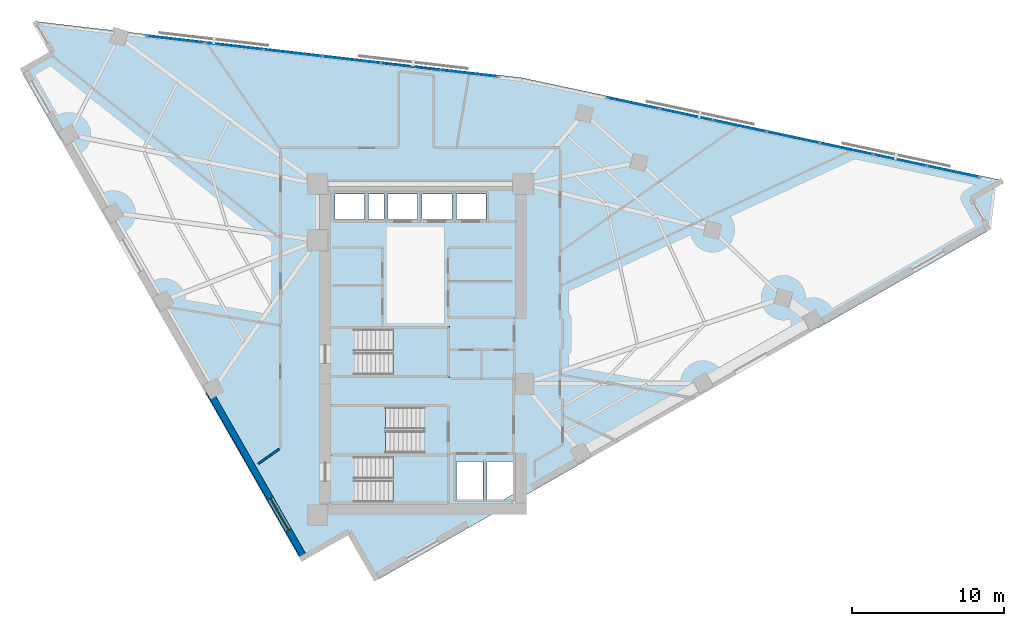
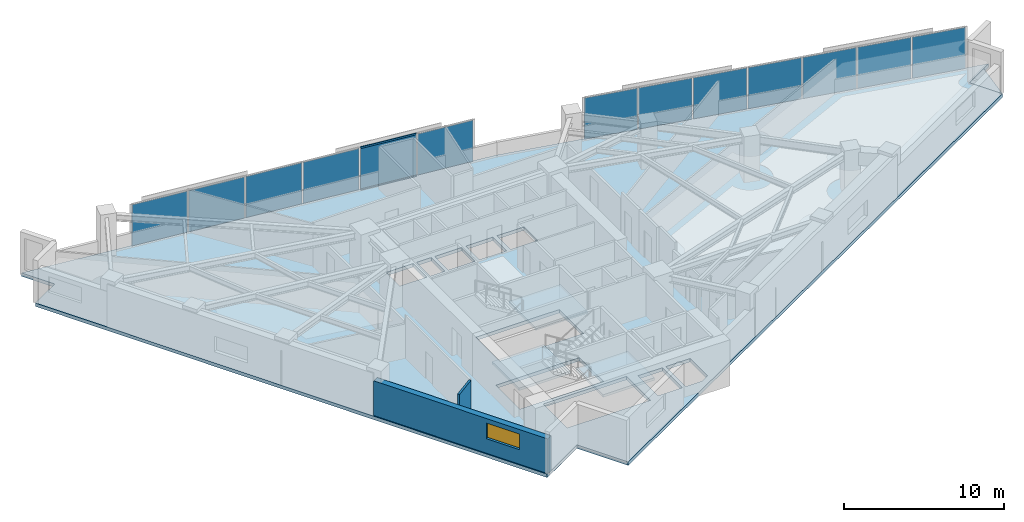
# One storey, part 8 of 14: 13 plates, 5 slabs, 2 members, 2 walls, 1 window, 1 opening, 5 elements without a shape of their own.
"""IFC4 building model written with IfcOpenShell, lengths in metres."""

from ifc_helpers import new_model, si_unit, direction, frame, frame_2d, origin, origin_2d, place, context, subcontext, project, spatial, polyline, rectangle, hollow_rectangle, outline, extrude, material, layer, layer_set, material_profile, profile_set, type_object, element, fill, aggregate, save


model = new_model("IFC4")

# Units and contexts
model_context = context("Model", 3, precision=1e-05, world=origin(), true_north=direction((0.0, 1.0)))
body_context = subcontext(model_context, "Body", "Model", "MODEL_VIEW")
ifc_project = project(units=[si_unit("LENGTHUNIT", "METRE"), si_unit("AREAUNIT", "SQUARE_METRE"), si_unit("VOLUMEUNIT", "CUBIC_METRE"), si_unit("PLANEANGLEUNIT", "RADIAN"), si_unit("MASSUNIT", "GRAM", prefix="KILO")], contexts=[model_context])

# Site, building, storey
site_placement = place(None, origin())
site = spatial("IfcSite", under=ifc_project, at=site_placement, CompositionType="ELEMENT")
building_placement = place(site_placement, origin())
building = spatial("IfcBuilding", under=site, at=building_placement, Name="Narakoshi Arena Tower", CompositionType="ELEMENT")
storey_placement = place(building_placement, frame((0.0, 0.0, 207.93994140625)))
storey = spatial("IfcBuildingStorey", under=building, at=storey_placement, Name="L56", CompositionType="ELEMENT", Elevation=207.93994140625)

# Curtain wall, members
ifc_material_1 = material(Name="Anodised bronze aluminium 6063-T6", Category="aluminium")
curtain_wall_type = type_object("IfcCurtainWallType", Name="CW-HYP-MID", PredefinedType="NOTDEFINED", material=ifc_material_1)
curtain_wall_1_placement = place(storey_placement, origin())
curtain_wall_1 = element("IfcCurtainWall", 1, at=curtain_wall_1_placement, inside=storey, type_object=curtain_wall_type, Name="L56 Folded Hypotenuse Curtain Wall 2-1", PredefinedType="NOTDEFINED")
ifc_material_profile = material_profile(ifc_material_1, hollow_rectangle(XDim=0.06494140625, YDim=0.1298828125, WallThickness=0.00390625, OuterFilletRadius=0.0048828125, at=origin_2d()), Name="TRN130x65x4")
ifc_profile_set = profile_set([ifc_material_profile], Name="Anodised bronze aluminium 6063-T6")
member_type = type_object("IfcMemberType", Name="MEM-TRN-130", PredefinedType="USERDEFINED", material=ifc_profile_set)
member_1_placement = place(storey_placement, frame((80.032470703125, 64.002685546875, 0.032470703125), z_axis=(-0.993360986362, 0.115038909828, 0.0), x_axis=(-0.115038909828, -0.993360986362, 0.0)))
member_1 = element("IfcMember", 2, at=member_1_placement, type_object=member_type, Name="CW-02 transom 2.1", ObjectType="TRANSOM", PredefinedType="USERDEFINED", context=body_context, shape_type="SweptSolid", body=[
    extrude(hollow_rectangle(XDim=0.06494140625, YDim=0.1298828125, WallThickness=0.00390625, OuterFilletRadius=0.0048828125, at=origin_2d()), origin(), (0.0, 0.0, 1.0), 3.820068359375),
])
member_2_placement = place(storey_placement, frame((80.032470703125, 64.002685546875, 3.2275390625), z_axis=(-0.993360986362, 0.115038909828, 0.0), x_axis=(-0.115038909828, -0.993360986362, 0.0)))
member_2 = element("IfcMember", 3, at=member_2_placement, type_object=member_type, Name="CW-02 transom 2.2", ObjectType="TRANSOM", PredefinedType="USERDEFINED", context=body_context, shape_type="SweptSolid", body=[
    extrude(hollow_rectangle(XDim=0.06494140625, YDim=0.1298828125, WallThickness=0.00390625, OuterFilletRadius=0.0048828125, at=origin_2d()), origin(), (0.0, 0.0, 1.0), 3.820068359375),
])

# Curtain wall, plates
curtain_wall_2_placement = place(storey_placement, origin())
curtain_wall_2 = element("IfcCurtainWall", 4, at=curtain_wall_2_placement, inside=storey, type_object=curtain_wall_type, Name="L56 Folded Hypotenuse Curtain Wall 1-1", PredefinedType="NOTDEFINED")
ifc_material_2 = material(Name="Bronze-tinted low-E laminated glass", Category="glass")
ifc_layer_1 = layer(ifc_material_2, 0.0380859375)
ifc_layer_set_1 = layer_set([ifc_layer_1], Name="Bronze-tinted low-E laminated glass")
plate_type = type_object("IfcPlateType", Name="PLT-GLZ-38", PredefinedType="CURTAIN_PANEL", material=ifc_layer_set_1)
plate_1_placement = place(storey_placement, frame((113.835205078125, 57.3095703125, 0.065185546875), z_axis=(0.0, 0.0, 1.0), x_axis=(-0.977937185914, 0.208899163248, 0.0)))
plate_1 = element("IfcPlate", 5, at=plate_1_placement, type_object=plate_type, Name="CW-02 panel 1.1", PredefinedType="CURTAIN_PANEL", context=body_context, shape_type="SweptSolid", body=[
    extrude(rectangle(XDim=3.48095703125, YDim=0.0380859375, at=origin_2d()), origin(), (0.0, 0.0, 1.0), 3.1298828125),
])
plate_2_placement = place(storey_placement, frame((110.33935546875, 58.056396484375, 0.065185546875), z_axis=(0.0, 0.0, 1.0), x_axis=(-0.977937185914, 0.208899163248, 0.0)))
plate_2 = element("IfcPlate", 6, at=plate_2_placement, type_object=plate_type, Name="CW-02 panel 2.1", PredefinedType="CURTAIN_PANEL", context=body_context, shape_type="SweptSolid", body=[
    extrude(rectangle(XDim=3.518310546875, YDim=0.0380859375, at=origin_2d()), origin(), (0.0, 0.0, 1.0), 3.1298828125),
])
plate_3_placement = place(storey_placement, frame((106.8251953125, 58.806884765625, 0.065185546875), z_axis=(0.0, 0.0, 1.0), x_axis=(-0.977937185914, 0.208899163248, 0.0)))
plate_3 = element("IfcPlate", 7, at=plate_3_placement, type_object=plate_type, Name="CW-02 panel 3.1", PredefinedType="CURTAIN_PANEL", context=body_context, shape_type="SweptSolid", body=[
    extrude(rectangle(XDim=3.518310546875, YDim=0.0380859375, at=origin_2d()), origin(), (0.0, 0.0, 1.0), 3.1298828125),
])
plate_4_placement = place(storey_placement, frame((103.31103515625, 59.5576171875, 0.065185546875), z_axis=(0.0, 0.0, 1.0), x_axis=(-0.977937185914, 0.208899163248, 0.0)))
plate_4 = element("IfcPlate", 8, at=plate_4_placement, type_object=plate_type, Name="CW-02 panel 4.1", PredefinedType="CURTAIN_PANEL", context=body_context, shape_type="SweptSolid", body=[
    extrude(rectangle(XDim=3.518310546875, YDim=0.0380859375, at=origin_2d()), origin(), (0.0, 0.0, 1.0), 3.1298828125),
])
plate_5_placement = place(storey_placement, frame((99.796875, 60.308349609375, 0.065185546875), z_axis=(0.0, 0.0, 1.0), x_axis=(-0.977937185914, 0.208899163248, 0.0)))
plate_5 = element("IfcPlate", 9, at=plate_5_placement, type_object=plate_type, Name="CW-02 panel 5.1", PredefinedType="CURTAIN_PANEL", context=body_context, shape_type="SweptSolid", body=[
    extrude(rectangle(XDim=3.518310546875, YDim=0.0380859375, at=origin_2d()), origin(), (0.0, 0.0, 1.0), 3.1298828125),
])
plate_6_placement = place(storey_placement, frame((96.282958984375, 61.058837890625, 0.065185546875), z_axis=(0.0, 0.0, 1.0), x_axis=(-0.977937185914, 0.208899163248, 0.0)))
plate_6 = element("IfcPlate", 10, at=plate_6_placement, type_object=plate_type, Name="CW-02 panel 6.1", PredefinedType="CURTAIN_PANEL", context=body_context, shape_type="SweptSolid", body=[
    extrude(rectangle(XDim=3.518310546875, YDim=0.0380859375, at=origin_2d()), origin(), (0.0, 0.0, 1.0), 3.1298828125),
])
plate_7_placement = place(storey_placement, frame((92.787109375, 61.8056640625, 0.065185546875), z_axis=(0.0, 0.0, 1.0), x_axis=(-0.977937185914, 0.208899163248, 0.0)))
plate_7 = element("IfcPlate", 11, at=plate_7_placement, type_object=plate_type, Name="CW-02 panel 7.1", PredefinedType="CURTAIN_PANEL", context=body_context, shape_type="SweptSolid", body=[
    extrude(rectangle(XDim=3.48095703125, YDim=0.0380859375, at=origin_2d()), origin(), (0.0, 0.0, 1.0), 3.1298828125),
])
aggregate(curtain_wall_2, [plate_1, plate_2, plate_3, plate_4, plate_5, plate_6, plate_7])

# Plate
plate_8_placement = place(storey_placement, frame((81.985595703125, 63.776611328125, 0.065185546875), z_axis=(0.0, 0.0, 1.0), x_axis=(-0.993364183774, 0.115011296816, 0.0)))
plate_8 = element("IfcPlate", 12, at=plate_8_placement, type_object=plate_type, Name="CW-02 panel 1.1", PredefinedType="CURTAIN_PANEL", context=body_context, shape_type="SweptSolid", body=[
    extrude(rectangle(XDim=3.782470703125, YDim=0.0380859375, at=origin_2d()), origin(), (0.0, 0.0, 1.0), 3.1298828125),
])

plate_9_placement = place(storey_placement, frame((78.13525390625, 64.222412109375, 0.065185546875), z_axis=(0.0, 0.0, 1.0), x_axis=(-0.993364183774, 0.115011296816, 0.0)))
plate_9 = element("IfcPlate", 13, at=plate_9_placement, type_object=plate_type, Name="CW-02 panel 2.1", PredefinedType="CURTAIN_PANEL", context=body_context, shape_type="SweptSolid", body=[
    extrude(rectangle(XDim=3.820068359375, YDim=0.0380859375, at=origin_2d()), origin(), (0.0, 0.0, 1.0), 3.1298828125),
])

plate_10_placement = place(storey_placement, frame((74.26611328125, 64.67041015625, 0.065185546875), z_axis=(0.0, 0.0, 1.0), x_axis=(-0.993364183774, 0.115011296816, 0.0)))
plate_10 = element("IfcPlate", 14, at=plate_10_placement, type_object=plate_type, Name="CW-02 panel 3.1", PredefinedType="CURTAIN_PANEL", context=body_context, shape_type="SweptSolid", body=[
    extrude(rectangle(XDim=3.820068359375, YDim=0.0380859375, at=origin_2d()), origin(), (0.0, 0.0, 1.0), 3.1298828125),
])

plate_11_placement = place(storey_placement, frame((70.39697265625, 65.118408203125, 0.065185546875), z_axis=(0.0, 0.0, 1.0), x_axis=(-0.993364183774, 0.115011296816, 0.0)))
plate_11 = element("IfcPlate", 15, at=plate_11_placement, type_object=plate_type, Name="CW-02 panel 4.1", PredefinedType="CURTAIN_PANEL", context=body_context, shape_type="SweptSolid", body=[
    extrude(rectangle(XDim=3.820068359375, YDim=0.0380859375, at=origin_2d()), origin(), (0.0, 0.0, 1.0), 3.1298828125),
])

plate_12_placement = place(storey_placement, frame((66.52783203125, 65.56640625, 0.065185546875), z_axis=(0.0, 0.0, 1.0), x_axis=(-0.993364183774, 0.115011296816, 0.0)))
plate_12 = element("IfcPlate", 16, at=plate_12_placement, type_object=plate_type, Name="CW-02 panel 5.1", PredefinedType="CURTAIN_PANEL", context=body_context, shape_type="SweptSolid", body=[
    extrude(rectangle(XDim=3.820068359375, YDim=0.0380859375, at=origin_2d()), origin(), (0.0, 0.0, 1.0), 3.1298828125),
])

plate_13_placement = place(storey_placement, frame((62.67724609375, 66.01220703125, 0.065185546875), z_axis=(0.0, 0.0, 1.0), x_axis=(-0.993364183774, 0.115011296816, 0.0)))
plate_13 = element("IfcPlate", 17, at=plate_13_placement, type_object=plate_type, Name="CW-02 panel 6.1", PredefinedType="CURTAIN_PANEL", context=body_context, shape_type="SweptSolid", body=[
    extrude(rectangle(XDim=3.782470703125, YDim=0.0380859375, at=origin_2d()), origin(), (0.0, 0.0, 1.0), 3.1298828125),
])

aggregate(curtain_wall_1, [plate_8, member_1, member_2, plate_9, plate_10, plate_11, plate_12, plate_13])

# Stair, slab
ifc_material_3 = material(Name="Concrete C45/55", Category="concrete")
stair_type = type_object("IfcStairType", Name="STR-CORE-352", PredefinedType="TWO_STRAIGHT_RUN_STAIR", material=ifc_material_3)
stair_1_placement = place(storey_placement, origin())
stair_1 = element("IfcStair", 18, at=stair_1_placement, inside=storey, type_object=stair_type, Name="L56 Core Escape Stair ST1", PredefinedType="TWO_STRAIGHT_RUN_STAIR")
ifc_layer_2 = layer(ifc_material_3, 0.18994140625)
ifc_layer_set_2 = layer_set([ifc_layer_2], Name="Concrete C45/55")
slab_type_1 = type_object("IfcSlabType", Name="SLB-LND-190", PredefinedType="LANDING", material=ifc_layer_set_2)
slab_1_placement = place(storey_placement, frame((0.0, 0.0, 1.570068359375)))
slab_1 = element("IfcSlab", 19, at=slab_1_placement, type_object=slab_type_1, Name="ST1 landing 1", PredefinedType="LANDING", context=body_context, shape_type="SweptSolid", body=[
    extrude(outline(polyline([(76.965087890625, 35.3701171875), (80.679931640625, 35.3701171875), (80.679931640625, 38.72998046875), (76.965087890625, 38.72998046875), (76.965087890625, 35.3701171875)])), origin(), (0.0, 0.0, 1.0), 0.18994140625),
])
aggregate(stair_1, [slab_1])

stair_2_placement = place(storey_placement, origin())
stair_2 = element("IfcStair", 20, at=stair_2_placement, inside=storey, type_object=stair_type, Name="L56 Core Escape Stair ST2", PredefinedType="TWO_STRAIGHT_RUN_STAIR")
slab_2_placement = place(storey_placement, frame((0.0, 0.0, 1.570068359375)))
slab_2 = element("IfcSlab", 21, at=slab_2_placement, type_object=slab_type_1, Name="ST2 landing 1", PredefinedType="LANDING", context=body_context, shape_type="SweptSolid", body=[
    extrude(outline(polyline([(72.77001953125, 38.6201171875), (76.485107421875, 38.6201171875), (76.485107421875, 41.97998046875), (72.77001953125, 41.97998046875), (72.77001953125, 38.6201171875)])), origin(), (0.0, 0.0, 1.0), 0.18994140625),
])
aggregate(stair_2, [slab_2])

stair_3_placement = place(storey_placement, origin())
stair_3 = element("IfcStair", 22, at=stair_3_placement, inside=storey, type_object=stair_type, Name="L56 Core Escape Stair ST3", PredefinedType="TWO_STRAIGHT_RUN_STAIR")
slab_3_placement = place(storey_placement, frame((0.0, 0.0, 1.570068359375)))
slab_3 = element("IfcSlab", 23, at=slab_3_placement, type_object=slab_type_1, Name="ST3 landing 1", PredefinedType="LANDING", context=body_context, shape_type="SweptSolid", body=[
    extrude(outline(polyline([(76.965087890625, 43.77001953125), (80.679931640625, 43.77001953125), (80.679931640625, 47.1298828125), (76.965087890625, 47.1298828125), (76.965087890625, 43.77001953125)])), origin(), (0.0, 0.0, 1.0), 0.18994140625),
])
aggregate(stair_3, [slab_3])

# Slabs
ifc_material_4 = material(Name="Concrete C50/60", Category="concrete")
ifc_layer_3 = layer(ifc_material_4, 0.260009765625)
ifc_layer_set_3 = layer_set([ifc_layer_3], Name="Concrete C50/60")
slab_type_2 = type_object("IfcSlabType", Name="SLB-SKY-260", PredefinedType="FLOOR", material=ifc_layer_set_3)
slab_4_placement = place(storey_placement, frame((0.0, 0.0, -0.260009765625)))
element("IfcSlab", 24, at=slab_4_placement, inside=storey, type_object=slab_type_2, Name="L56 Structural Floor Slab", PredefinedType="FLOOR", context=body_context, shape_type="SweptSolid", body=[
    extrude(outline(polyline([(75.915771484375, 30.43017578125), (116.209716796875, 53.460205078125), (115.01904296875, 55.54345703125), (117.1025390625, 56.734375), (85.442626953125, 63.497314453125), (53.408203125, 67.2060546875), (54.59912109375, 65.122802734375), (52.515625, 63.931884765625), (70.87841796875, 31.803466796875), (74.083740234375, 33.635498046875), (75.915771484375, 30.43017578125)]), holes=[polyline([(80.5, 35.550048828125), (74.47998046875, 35.550048828125), (74.47998046875, 38.550048828125), (80.5, 38.550048828125), (80.5, 35.550048828125)]), polyline([(82.89990234375, 35.75), (81.14990234375, 35.75), (81.14990234375, 38.25), (82.89990234375, 38.25), (82.89990234375, 35.75)]), polyline([(84.89990234375, 36.08349609375), (84.316650390625, 35.75), (83.14990234375, 35.75), (83.14990234375, 38.25), (84.89990234375, 38.25), (84.89990234375, 36.08349609375)]), polyline([(72.949951171875, 38.800048828125), (72.949951171875, 41.800048828125), (78.969970703125, 41.800048828125), (78.969970703125, 38.800048828125), (72.949951171875, 38.800048828125)]), polyline([(74.47998046875, 43.949951171875), (74.47998046875, 46.949951171875), (80.5, 46.949951171875), (80.5, 43.949951171875), (74.47998046875, 43.949951171875)]), polyline([(75.10009765625, 54.14990234375), (73.14990234375, 54.14990234375), (73.14990234375, 55.85009765625), (75.10009765625, 55.85009765625), (75.10009765625, 54.14990234375)]), polyline([(76.39990234375, 54.14990234375), (75.35009765625, 54.14990234375), (75.35009765625, 55.85009765625), (76.39990234375, 55.85009765625), (76.39990234375, 54.14990234375)]), polyline([(78.60009765625, 54.14990234375), (76.64990234375, 54.14990234375), (76.64990234375, 55.85009765625), (78.60009765625, 55.85009765625), (78.60009765625, 54.14990234375)]), polyline([(78.89990234375, 54.14990234375), (78.89990234375, 55.85009765625), (80.85009765625, 55.85009765625), (80.85009765625, 54.14990234375), (78.89990234375, 54.14990234375)]), polyline([(81.14990234375, 54.14990234375), (81.14990234375, 55.85009765625), (83.10009765625, 55.85009765625), (83.10009765625, 54.14990234375), (81.14990234375, 54.14990234375)])]), origin(), (0.0, 0.0, 1.0), 0.260009765625),
])
ifc_layer_4 = layer(ifc_material_3, 0.239990234375)
ifc_layer_set_4 = layer_set([ifc_layer_4], Name="Concrete C45/55")
slab_type_3 = type_object("IfcSlabType", Name="SLB-TERR-240", PredefinedType="ROOF", material=ifc_layer_set_4)
slab_5_placement = place(storey_placement, frame((0.0, 0.0, -0.239990234375)))
element("IfcSlab", 25, at=slab_5_placement, inside=storey, type_object=slab_type_3, Name="L56 Corner Notch Loggia Balcony Slab", PredefinedType="ROOF", context=body_context, shape_type="SweptSolid", body=[
    extrude(outline(polyline([(116.56103515625, 56.422119140625), (115.02197265625, 55.54296875), (116.2099609375, 53.462890625), (116.56103515625, 56.422119140625)])), origin(), (0.0, 0.0, 1.0), 0.239990234375),
])

# Wall, opening, window
ifc_material_5 = material(Name="Precast concrete C45/55", Category="concrete")
ifc_layer_5 = layer(ifc_material_5, 0.419921875)
ifc_layer_set_5 = layer_set([ifc_layer_5], Name="Precast concrete C45/55")
wall_type_1 = type_object("IfcWallType", Name="WL-POD-420", PredefinedType="SOLIDWALL", material=ifc_layer_set_5)
wall_1_placement = place(storey_placement, frame((64.873779296875, 42.863525390625, 0.0), z_axis=(0.0, 0.0, 1.0), x_axis=(0.49622043329, -0.868196568517, 0.0)))
wall_1 = element("IfcWall", 26, at=wall_1_placement, inside=storey, type_object=wall_type_1, Name="L56 Architectural Concrete Facade Wall LEGB-3", PredefinedType="SOLIDWALL", context=body_context, shape_type="SweptSolid", body=[
    extrude(rectangle(XDim=12.58203125, YDim=0.419921875, at=frame_2d((6.291015625, 0.0))), origin(), (0.0, 0.0, 1.0), 2.64501953125),
])
opening_placement = place(wall_1_placement, frame((8.135986328125, 0.0, 1.10009765625)))
opening = element("IfcOpeningElement", 27, at=opening_placement, cuts=wall_1, Name="Opening WN-04", PredefinedType="OPENING", context=body_context, shape_type="SweptSolid", body=[
    extrude(rectangle(XDim=2.39990234375, YDim=1.199951171875, at=frame_2d((1.199951171875, 0.60009765625))), frame((0.0, 0.219970703125, 0.0), z_axis=(0.0, -1.0, 0.0), x_axis=(1.0, 0.0, 0.0)), (0.0, 0.0, 1.0), 0.43994140625),
])
window_type = type_object("IfcWindowType", Name="WIN-SLT-24x12", PartitioningType="SINGLE_PANEL", PredefinedType="WINDOW", material=ifc_material_2)
window_placement = place(opening_placement, origin())
window = element("IfcWindow", 28, at=window_placement, inside=storey, type_object=window_type, Name="L56 LEGB3 Horizontal Slot Window 1", OverallHeight=1.199951171875, OverallWidth=2.39990234375, PartitioningType="SINGLE_PANEL", PredefinedType="WINDOW", context=body_context, shape_type="SweptSolid", body=[
    extrude(rectangle(XDim=2.39990234375, YDim=1.199951171875, at=frame_2d((1.199951171875, 0.60009765625))), frame((0.0, 0.030029296875, 0.0), z_axis=(0.0, -1.0, 0.0), x_axis=(1.0, 0.0, 0.0)), (0.0, 0.0, 1.0), 0.06005859375),
])
fill(opening, window)

# Wall
ifc_material_6 = material(Name="Moisture-resistant cement-board partition")
ifc_layer_6 = layer(ifc_material_6, 0.14501953125)
ifc_layer_set_6 = layer_set([ifc_layer_6], Name="Moisture-resistant cement-board partition")
wall_type_2 = type_object("IfcWallType", Name="WL-WET-145", PredefinedType="PARTITIONING", material=ifc_layer_set_6)
wall_2_placement = place(storey_placement, frame((69.513671875, 39.075927734375, 0.0), z_axis=(0.0, 0.0, 1.0), x_axis=(-0.817660956393, -0.575700061134, 0.0)))
element("IfcWall", 29, at=wall_2_placement, inside=storey, type_object=wall_type_2, Name="L56 Room Enclosure Partition 01-1", PredefinedType="PARTITIONING", context=body_context, shape_type="SweptSolid", body=[
    extrude(rectangle(XDim=1.726318359375, YDim=0.14501953125, at=frame_2d((0.86328125, 0.0))), origin(), (0.0, 0.0, 1.0), 3.260009765625),
])

save(model, "model.ifc")
